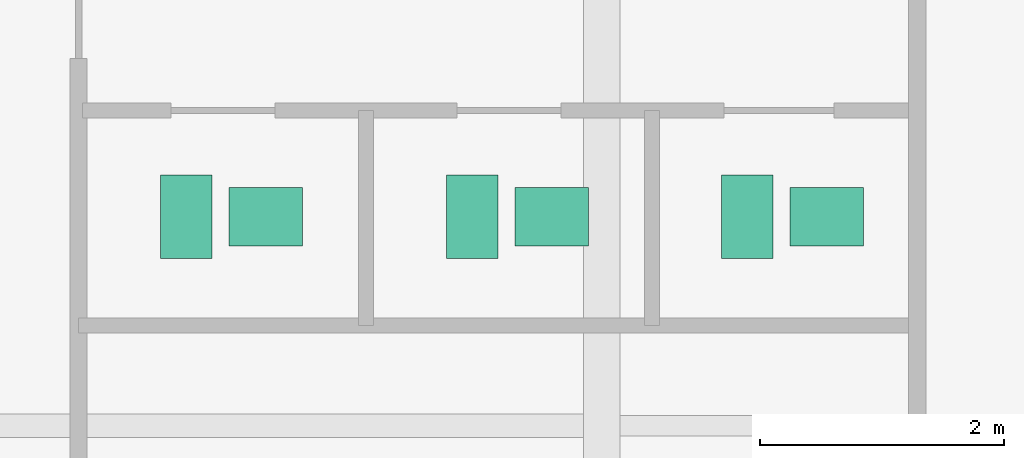
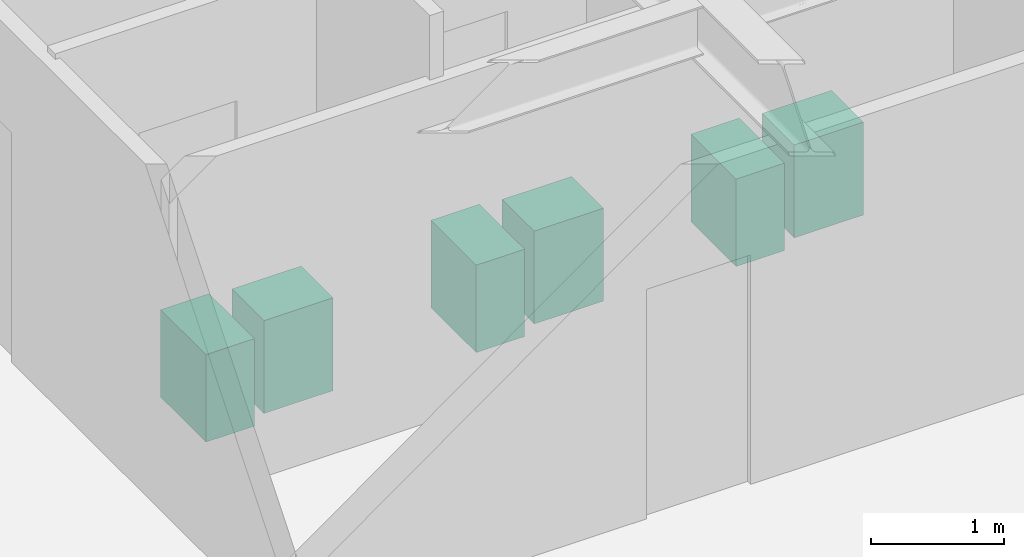
# One storey, part 27 of 27: 6 sanitary terminals.
"""IFC4 building model written with IfcOpenShell, lengths in metres."""

from ifc_helpers import new_model, si_unit, direction, frame, origin, origin_2d, place, context, subcontext, project, spatial, rectangle, extrude, source, transform, mapped, material, type_object, type_shapes, element, save


model = new_model("IFC4")

# Units and contexts
model_context = context("Model", 3, precision=1e-05, world=origin(), true_north=direction((0.0, 1.0)))
body_context = subcontext(model_context, "Body", "Model", "MODEL_VIEW")
ifc_project = project(units=[si_unit("LENGTHUNIT", "METRE"), si_unit("AREAUNIT", "SQUARE_METRE"), si_unit("VOLUMEUNIT", "CUBIC_METRE"), si_unit("PLANEANGLEUNIT", "RADIAN"), si_unit("MASSUNIT", "GRAM", prefix="KILO")], contexts=[model_context])

# Site, building, storey
site_placement = place(None, origin())
site = spatial("IfcSite", under=ifc_project, at=site_placement, CompositionType="ELEMENT")
building_placement = place(site_placement, origin())
building = spatial("IfcBuilding", under=site, at=building_placement, Name="Krantzveldt Concourse Tower", CompositionType="ELEMENT")
storey_placement = place(building_placement, frame((0.0, 0.0, 150.14990234375)))
storey = spatial("IfcBuildingStorey", under=building, at=storey_placement, Name="L36", CompositionType="ELEMENT", Elevation=150.14990234375)

# Sanitary terminals
ifc_material = material(Name="Vitreous china", Category="ceramic")
sanitary_terminal_type_1 = type_object("IfcSanitaryTerminalType", Name="SAN-WC-SUITE", PredefinedType="TOILETPAN", material=ifc_material)
shared_shape_1 = source(origin(), body_context, "Body", "SweptSolid", [
    extrude(rectangle(XDim=0.419921875, YDim=0.679931640625, at=origin_2d()), origin(), (0.0, 0.0, 1.0), 0.800048828125),
])
type_shapes(sanitary_terminal_type_1, [shared_shape_1])
for number, where, z_axis, x_axis, name in (
    (1, (38.0, 31.909912109375, 0.0), (0.0, 0.0, 1.0), (1.0, 0.0, 0.0), "WC-SP-L36-WCM"),
    (2, (40.340087890625, 31.909912109375, 0.0), (0.0, 0.0, 1.0), (1.0, 0.0, 0.0), "WC-SP-L36-WCF"),
    (3, (42.590087890625, 31.909912109375, 0.0), (0.0, 0.0, 1.0), (1.0, 0.0, 0.0), "WC-SP-L36-WCA"),
):
    element("IfcSanitaryTerminal", number, at=place(storey_placement, frame(where, z_axis=z_axis, x_axis=x_axis)), inside=storey, type_object=sanitary_terminal_type_1, Name=name, PredefinedType="TOILETPAN", context=body_context, shape_type="MappedRepresentation", body=[
        mapped(shared_shape_1, transform((0.0, 0.0, 0.0), x_axis=(1.0, 0.0, 0.0), y_axis=(0.0, 1.0, 0.0), z_axis=(0.0, 0.0, 1.0), scale=1.0)),
    ])
sanitary_terminal_type_2 = type_object("IfcSanitaryTerminalType", Name="SAN-BASIN-600", PredefinedType="WASHHANDBASIN", material=ifc_material)
shared_shape_2 = source(origin(), body_context, "Body", "SweptSolid", [
    extrude(rectangle(XDim=0.60009765625, YDim=0.47998046875, at=origin_2d()), origin(), (0.0, 0.0, 1.0), 0.85009765625),
])
type_shapes(sanitary_terminal_type_2, [shared_shape_2])
for number, where, z_axis, x_axis, name in (
    (4, (38.64990234375, 31.909912109375, 0.005126953125), (0.0, 0.0, 1.0), (1.0, 0.0, 0.0), "BSN-SP-L36-WCM"),
    (5, (40.989990234375, 31.909912109375, 0.005126953125), (0.0, 0.0, 1.0), (1.0, 0.0, 0.0), "BSN-SP-L36-WCF"),
    (6, (43.239990234375, 31.909912109375, 0.005126953125), (0.0, 0.0, 1.0), (1.0, 0.0, 0.0), "BSN-SP-L36-WCA"),
):
    element("IfcSanitaryTerminal", number, at=place(storey_placement, frame(where, z_axis=z_axis, x_axis=x_axis)), inside=storey, type_object=sanitary_terminal_type_2, Name=name, PredefinedType="WASHHANDBASIN", context=body_context, shape_type="MappedRepresentation", body=[
        mapped(shared_shape_2, transform((0.0, 0.0, 0.0), x_axis=(1.0, 0.0, 0.0), y_axis=(0.0, 1.0, 0.0), z_axis=(0.0, 0.0, 1.0), scale=1.0)),
    ])

save(model, "model.ifc")
